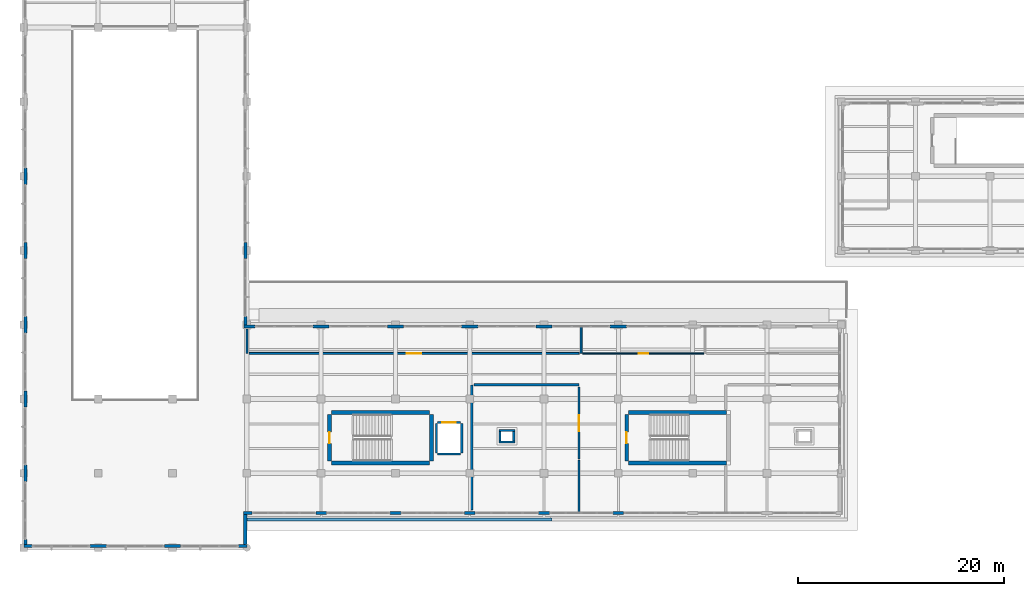
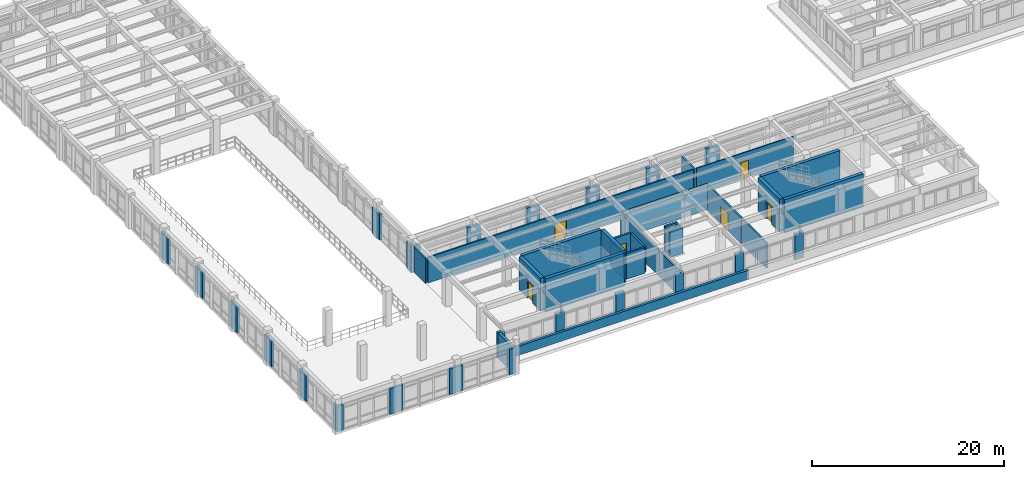
# One storey, part 46 of 64: 49 walls, 6 doors, 6 openings.
"""IFC4 building model written with IfcOpenShell, lengths in metres."""

from ifc_helpers import new_model, si_unit, direction, frame, frame_2d, origin, place, context, subcontext, project, spatial, rectangle, extrude, material, layer, layer_set, type_object, element, fill, save


model = new_model("IFC4")

# Units and contexts
model_context = context("Model", 3, precision=1e-05, world=origin(), true_north=direction((0.0, 1.0)))
body_context = subcontext(model_context, "Body", "Model", "MODEL_VIEW")
ifc_project = project(units=[si_unit("LENGTHUNIT", "METRE"), si_unit("AREAUNIT", "SQUARE_METRE"), si_unit("VOLUMEUNIT", "CUBIC_METRE"), si_unit("PLANEANGLEUNIT", "RADIAN"), si_unit("MASSUNIT", "GRAM", prefix="KILO")], contexts=[model_context])

# Site, building, storey
site_placement = place(None, origin())
site = spatial("IfcSite", under=ifc_project, at=site_placement, CompositionType="ELEMENT")
building_placement = place(site_placement, origin())
building = spatial("IfcBuilding", under=site, at=building_placement, Name="Solenvale Faculty of Natural Sciences", CompositionType="ELEMENT")
storey_placement = place(building_placement, frame((0.0, 0.0, 18.0)))
storey = spatial("IfcBuildingStorey", under=building, at=storey_placement, Name="L04", CompositionType="ELEMENT", Elevation=18.0)

# Walls
ifc_material_1 = material(Name="Architectural bronze concrete 40 MPa", Category="concrete")
ifc_layer_1 = layer(ifc_material_1, 0.300048828125)
ifc_layer_set_1 = layer_set([ifc_layer_1], Name="Architectural bronze concrete 40 MPa")
wall_type_1 = type_object("IfcWallType", Name="WL-EXT-BRZ-300", PredefinedType="STANDARD", material=ifc_layer_set_1)
wall_1_placement = place(storey_placement, frame((87.152099609375, 17.134033203125, 0.0), z_axis=(0.0, 0.0, 1.0), x_axis=(-0.999999990118, -0.00014058533, 0.0)))
element("IfcWall", 1, at=wall_1_placement, inside=storey, type_object=wall_type_1, Name="L04 Sliding-Tray Rough Bronze Concrete Band 3", PredefinedType="PARAPET", context=body_context, shape_type="SweptSolid", body=[
    extrude(rectangle(XDim=29.522216796875, YDim=0.300048828125, at=frame_2d((14.76123046875, 0.0))), origin(), (0.0, 0.0, 1.0), 1.179931640625),
])
ifc_layer_2 = layer(ifc_material_1, 0.324951171875)
ifc_layer_set_2 = layer_set([ifc_layer_2], Name="Architectural bronze concrete 40 MPa")
wall_type_2 = type_object("IfcWallType", Name="WL-EXT-BRZ-325", PredefinedType="STANDARD", material=ifc_layer_set_2)
wall_2_placement = place(storey_placement, frame((57.294921875, 17.762451171875, 0.0), z_axis=(0.0, 0.0, 1.0), x_axis=(1.0, 0.0, 0.0)))
element("IfcWall", 2, at=wall_2_placement, inside=storey, type_object=wall_type_2, Name="L04 Facade Closure Pier 6.B1-L", PredefinedType="STANDARD", context=body_context, shape_type="SweptSolid", body=[
    extrude(rectangle(XDim=0.822998046875, YDim=0.324951171875, at=frame_2d((0.41162109375, 0.0))), origin(), (0.0, 0.0, 1.0), 3.260009765625),
])
for number, where, z_axis, x_axis, name in (
    (3, (64.281982421875, 17.762451171875, 0.0), (0.0, 0.0, 1.0), (1.0, 0.0, 0.0), "L04 Facade Closure Pier 6.B1-R"),
    (4, (71.48193359375, 17.762451171875, 0.0), (0.0, 0.0, 1.0), (1.0, 0.0, 0.0), "L04 Facade Closure Pier 6.B2-R"),
    (5, (78.681884765625, 17.762451171875, 0.0), (0.0, 0.0, 1.0), (1.0, 0.0, 0.0), "L04 Facade Closure Pier 6.B3-R"),
):
    element("IfcWall", number, at=place(storey_placement, frame(where, z_axis=z_axis, x_axis=x_axis)), inside=storey, type_object=wall_type_2, Name=name, PredefinedType="STANDARD", context=body_context, shape_type="SweptSolid", body=[
        extrude(rectangle(XDim=1.0361328125, YDim=0.324951171875, at=frame_2d((0.51806640625, 0.0))), origin(), (0.0, 0.0, 1.0), 3.260009765625),
    ])
for number, where, z_axis, x_axis, name in (
    (6, (85.882080078125, 17.762451171875, 0.0), (0.0, 0.0, 1.0), (1.0, 0.0, 0.0), "L04 Facade Closure Pier 6.B4-R"),
    (7, (93.08203125, 17.762451171875, 0.0), (0.0, 0.0, 1.0), (1.0, 0.0, 0.0), "L04 Facade Closure Pier 6.B5-R"),
):
    element("IfcWall", number, at=place(storey_placement, frame(where, z_axis=z_axis, x_axis=x_axis)), inside=storey, type_object=wall_type_2, Name=name, PredefinedType="STANDARD", context=body_context, shape_type="SweptSolid", body=[
        extrude(rectangle(XDim=1.035888671875, YDim=0.324951171875, at=frame_2d((0.51806640625, 0.0))), origin(), (0.0, 0.0, 1.0), 3.260009765625),
    ])
for number, where, z_axis, x_axis, name in (
    (8, (94.387939453125, 35.83740234375, 0.0), (0.0, 0.0, 1.0), (-1.0, 0.0, 0.0), "L04 Facade Closure Pier 8.B3-R"),
    (9, (87.18798828125, 35.83740234375, 0.0), (0.0, 0.0, 1.0), (-1.0, 0.0, 0.0), "L04 Facade Closure Pier 8.B4-R"),
    (10, (79.988037109375, 35.83740234375, 0.0), (0.0, 0.0, 1.0), (-1.0, 0.0, 0.0), "L04 Facade Closure Pier 8.B5-R"),
):
    element("IfcWall", number, at=place(storey_placement, frame(where, z_axis=z_axis, x_axis=x_axis)), inside=storey, type_object=wall_type_2, Name=name, PredefinedType="STANDARD", context=body_context, shape_type="SweptSolid", body=[
        extrude(rectangle(XDim=1.575927734375, YDim=0.324951171875, at=frame_2d((0.7880859375, 0.0))), origin(), (0.0, 0.0, 1.0), 3.260009765625),
    ])
wall_3_placement = place(storey_placement, frame((72.7880859375, 35.83740234375, 0.0), z_axis=(0.0, 0.0, 1.0), x_axis=(-1.0, 0.0, 0.0)))
element("IfcWall", 11, at=wall_3_placement, inside=storey, type_object=wall_type_2, Name="L04 Facade Closure Pier 8.B6-R", PredefinedType="STANDARD", context=body_context, shape_type="SweptSolid", body=[
    extrude(rectangle(XDim=1.576171875, YDim=0.324951171875, at=frame_2d((0.7880859375, 0.0))), origin(), (0.0, 0.0, 1.0), 3.260009765625),
])
wall_4_placement = place(storey_placement, frame((65.587890625, 35.83740234375, 0.0), z_axis=(0.0, 0.0, 1.0), x_axis=(-1.0, 0.0, 0.0)))
element("IfcWall", 12, at=wall_4_placement, inside=storey, type_object=wall_type_2, Name="L04 Facade Closure Pier 8.B7-R", PredefinedType="STANDARD", context=body_context, shape_type="SweptSolid", body=[
    extrude(rectangle(XDim=1.575927734375, YDim=0.324951171875, at=frame_2d((0.7880859375, 0.0))), origin(), (0.0, 0.0, 1.0), 3.260009765625),
])
wall_5_placement = place(storey_placement, frame((58.387939453125, 35.83740234375, 0.0), z_axis=(0.0, 0.0, 1.0), x_axis=(-1.0, 0.0, 0.0)))
element("IfcWall", 13, at=wall_5_placement, inside=storey, type_object=wall_type_2, Name="L04 Facade Closure Pier 8.B8-R", PredefinedType="STANDARD", context=body_context, shape_type="SweptSolid", body=[
    extrude(rectangle(XDim=1.072998046875, YDim=0.324951171875, at=frame_2d((0.53662109375, 0.0))), origin(), (0.0, 0.0, 1.0), 3.260009765625),
])
ifc_material_2 = material(Name="Precast concrete 40 MPa", Category="concrete")
ifc_layer_3 = layer(ifc_material_2, 0.284912109375)
ifc_layer_set_3 = layer_set([ifc_layer_3], Name="Precast concrete 40 MPa")
wall_type_3 = type_object("IfcWallType", Name="WL-EXT-PRC-285", PredefinedType="STANDARD", material=ifc_layer_set_3)
wall_6_placement = place(storey_placement, frame((57.45751953125, 36.0, 0.0), z_axis=(0.0, 0.0, 1.0), x_axis=(0.0, 1.0, 0.0)))
element("IfcWall", 14, at=wall_6_placement, inside=storey, type_object=wall_type_3, Name="L04 Facade Closure Pier 1.B1-L", PredefinedType="STANDARD", context=body_context, shape_type="SweptSolid", body=[
    extrude(rectangle(XDim=0.7880859375, YDim=0.284912109375, at=frame_2d((0.39404296875, 0.0))), origin(), (0.0, 0.0, 1.0), 3.260009765625),
])
for number, where, z_axis, x_axis, name in (
    (15, (57.45751953125, 42.412109375, 0.0), (0.0, 0.0, 1.0), (0.0, 1.0, 0.0), "L04 Facade Closure Pier 1.B1-R"),
    (16, (36.142578125, 51.18798828125, 0.0), (0.0, 0.0, 1.0), (0.0, -1.0, 0.0), "L04 Facade Closure Pier 3.B6-R"),
    (17, (36.142578125, 43.988037109375, 0.0), (0.0, 0.0, 1.0), (0.0, -1.0, 0.0), "L04 Facade Closure Pier 3.B7-R"),
):
    element("IfcWall", number, at=place(storey_placement, frame(where, z_axis=z_axis, x_axis=x_axis)), inside=storey, type_object=wall_type_3, Name=name, PredefinedType="STANDARD", context=body_context, shape_type="SweptSolid", body=[
        extrude(rectangle(XDim=1.575927734375, YDim=0.284912109375, at=frame_2d((0.7880859375, 0.0))), origin(), (0.0, 0.0, 1.0), 3.260009765625),
    ])
wall_7_placement = place(storey_placement, frame((36.142578125, 36.7880859375, 0.0), z_axis=(0.0, 0.0, 1.0), x_axis=(0.0, -1.0, 0.0)))
element("IfcWall", 18, at=wall_7_placement, inside=storey, type_object=wall_type_3, Name="L04 Facade Closure Pier 3.B8-R", PredefinedType="STANDARD", context=body_context, shape_type="SweptSolid", body=[
    extrude(rectangle(XDim=1.576171875, YDim=0.284912109375, at=frame_2d((0.7880859375, 0.0))), origin(), (0.0, 0.0, 1.0), 3.260009765625),
])
for number, where, z_axis, x_axis, name in (
    (19, (36.142578125, 29.587890625, 0.0), (0.0, 0.0, 1.0), (0.0, -1.0, 0.0), "L04 Facade Closure Pier 3.B9-R"),
    (20, (36.142578125, 22.387939453125, 0.0), (0.0, 0.0, 1.0), (0.0, -1.0, 0.0), "L04 Facade Closure Pier 3.B10-R"),
):
    element("IfcWall", number, at=place(storey_placement, frame(where, z_axis=z_axis, x_axis=x_axis)), inside=storey, type_object=wall_type_3, Name=name, PredefinedType="STANDARD", context=body_context, shape_type="SweptSolid", body=[
        extrude(rectangle(XDim=1.575927734375, YDim=0.284912109375, at=frame_2d((0.7880859375, 0.0))), origin(), (0.0, 0.0, 1.0), 3.260009765625),
    ])
wall_8_placement = place(storey_placement, frame((36.142578125, 15.18798828125, 0.0), z_axis=(0.0, 0.0, 1.0), x_axis=(0.0, -1.0, 0.0)))
element("IfcWall", 21, at=wall_8_placement, inside=storey, type_object=wall_type_3, Name="L04 Facade Closure Pier 3.B11-R", PredefinedType="STANDARD", context=body_context, shape_type="SweptSolid", body=[
    extrude(rectangle(XDim=0.5029296875, YDim=0.284912109375, at=frame_2d((0.25146484375, 0.0))), origin(), (0.0, 0.0, 1.0), 3.260009765625),
])
wall_9_placement = place(storey_placement, frame((36.0, 14.54248046875, 0.0), z_axis=(0.0, 0.0, 1.0), x_axis=(1.0, 0.0, 0.0)))
element("IfcWall", 22, at=wall_9_placement, inside=storey, type_object=wall_type_3, Name="L04 Facade Closure Pier 4.B1-L", PredefinedType="STANDARD", context=body_context, shape_type="SweptSolid", body=[
    extrude(rectangle(XDim=0.7880859375, YDim=0.284912109375, at=frame_2d((0.39404296875, 0.0))), origin(), (0.0, 0.0, 1.0), 3.260009765625),
])
for number, where, z_axis, x_axis, name in (
    (23, (42.412109375, 14.54248046875, 0.0), (0.0, 0.0, 1.0), (1.0, 0.0, 0.0), "L04 Facade Closure Pier 4.B1-R"),
    (24, (49.612060546875, 14.54248046875, 0.0), (0.0, 0.0, 1.0), (1.0, 0.0, 0.0), "L04 Facade Closure Pier 4.B2-R"),
):
    element("IfcWall", number, at=place(storey_placement, frame(where, z_axis=z_axis, x_axis=x_axis)), inside=storey, type_object=wall_type_3, Name=name, PredefinedType="STANDARD", context=body_context, shape_type="SweptSolid", body=[
        extrude(rectangle(XDim=1.575927734375, YDim=0.284912109375, at=frame_2d((0.7880859375, 0.0))), origin(), (0.0, 0.0, 1.0), 3.260009765625),
    ])
wall_10_placement = place(storey_placement, frame((56.81201171875, 14.54248046875, 0.0), z_axis=(0.0, 0.0, 1.0), x_axis=(1.0, 0.0, 0.0)))
element("IfcWall", 25, at=wall_10_placement, inside=storey, type_object=wall_type_3, Name="L04 Facade Closure Pier 4.B3-R", PredefinedType="STANDARD", context=body_context, shape_type="SweptSolid", body=[
    extrude(rectangle(XDim=0.7880859375, YDim=0.284912109375, at=frame_2d((0.39404296875, 0.0))), origin(), (0.0, 0.0, 1.0), 3.260009765625),
])
ifc_layer_4 = layer(ifc_material_2, 0.304931640625)
ifc_layer_set_4 = layer_set([ifc_layer_4], Name="Precast concrete 40 MPa")
wall_type_4 = type_object("IfcWallType", Name="WL-EXT-PRC-305", PredefinedType="STANDARD", material=ifc_layer_set_4)
wall_11_placement = place(storey_placement, frame((57.447509765625, 17.60009765625, 0.0), z_axis=(0.0, 0.0, 1.0), x_axis=(0.0, -1.0, 0.0)))
element("IfcWall", 26, at=wall_11_placement, inside=storey, type_object=wall_type_4, Name="L04 Exterior Wall 5.1", PredefinedType="STANDARD", context=body_context, shape_type="SweptSolid", body=[
    extrude(rectangle(XDim=2.9150390625, YDim=0.304931640625, at=frame_2d((1.45751953125, 0.0))), origin(), (0.0, 0.0, 1.0), 3.260009765625),
])
ifc_material_3 = material(Name="Gypsum fire-rated laboratory partition")
ifc_layer_5 = layer(ifc_material_3, 0.18505859375)
ifc_layer_set_5 = layer_set([ifc_layer_5], Name="Gypsum fire-rated laboratory partition")
wall_type_5 = type_object("IfcWallType", Name="WL-LAB-185", PredefinedType="PARTITIONING", material=ifc_layer_set_5)
wall_12_placement = place(storey_placement, frame((57.6201171875, 33.219970703125, 0.0), z_axis=(0.0, 0.0, 1.0), x_axis=(0.0, 1.0, 0.0)))
element("IfcWall", 27, at=wall_12_placement, inside=storey, type_object=wall_type_5, Name="L04 Terrace Ecology Laboratory Partition 1", PredefinedType="PARTITIONING", context=body_context, shape_type="SweptSolid", body=[
    extrude(rectangle(XDim=2.35009765625, YDim=0.18505859375, at=frame_2d((1.175048828125, 0.0))), origin(), (0.0, 0.0, 1.0), 3.260009765625),
])
wall_13_placement = place(storey_placement, frame((90.0, 35.797119140625, 0.0), z_axis=(0.0, 0.0, 1.0), x_axis=(0.0, -1.0, 0.0)))
element("IfcWall", 28, at=wall_13_placement, inside=storey, type_object=wall_type_5, Name="L04 Terrace Ecology Laboratory Partition 3", PredefinedType="PARTITIONING", context=body_context, shape_type="SweptSolid", body=[
    extrude(rectangle(XDim=2.5771484375, YDim=0.18505859375, at=frame_2d((1.28857421875, 0.0))), origin(), (0.0, 0.0, 1.0), 3.260009765625),
])

# Wall, opening, door
wall_14_placement = place(storey_placement, frame((89.802978515625, 33.219970703125, 0.0), z_axis=(0.0, 0.0, 1.0), x_axis=(-1.0, 0.0, 0.0)))
wall_14 = element("IfcWall", 29, at=wall_14_placement, inside=storey, type_object=wall_type_5, Name="L04 Terrace Ecology Laboratory Partition 4", PredefinedType="PARTITIONING", context=body_context, shape_type="SweptSolid", body=[
    extrude(rectangle(XDim=31.986083984375, YDim=0.18505859375, at=frame_2d((15.9931640625, 0.0))), origin(), (0.0, 0.0, 1.0), 3.260009765625),
])
opening_1_placement = place(wall_14_placement, frame((15.302978515625, 0.0, 0.0)))
opening_1 = element("IfcOpeningElement", 30, at=opening_1_placement, cuts=wall_14, Name="Opening D-L04-05", PredefinedType="OPENING", context=body_context, shape_type="SweptSolid", body=[
    extrude(rectangle(XDim=1.3798828125, YDim=2.14990234375, at=frame_2d((0.68994140625, 1.074951171875))), frame((0.0, 0.1025390625, 0.0), z_axis=(0.0, -1.0, 0.0), x_axis=(1.0, 0.0, 0.0)), (0.0, 0.0, 1.0), 0.205078125),
])
ifc_material_4 = material(Name="Oak acoustic timber leaf", Category="wood")
door_type_1 = type_object("IfcDoorType", Name="DR-LAB-1380x2150", OperationType="NOTDEFINED", PredefinedType="DOOR", material=ifc_material_4)
door_1_placement = place(opening_1_placement, origin())
door_1 = element("IfcDoor", 31, at=door_1_placement, inside=storey, type_object=door_type_1, Name="L04 Terrace Ecology Laboratory Door", OperationType="SINGLE_SWING_LEFT", OverallHeight=2.14990234375, OverallWidth=1.3798828125, PredefinedType="DOOR", context=body_context, shape_type="SweptSolid", body=[
    extrude(rectangle(XDim=1.3798828125, YDim=2.14990234375, at=frame_2d((0.68994140625, 1.074951171875))), frame((0.0, 0.02490234375, 0.0), z_axis=(0.0, -1.0, 0.0), x_axis=(1.0, 0.0, 0.0)), (0.0, 0.0, 1.0), 0.050048828125),
])
fill(opening_1, door_1)

# Walls
ifc_layer_6 = layer(ifc_material_3, 0.2119140625)
ifc_layer_set_6 = layer_set([ifc_layer_6], Name="Gypsum fire-rated laboratory partition")
wall_type_6 = type_object("IfcWallType", Name="WL-LAB-212", PredefinedType="PARTITIONING", material=ifc_layer_set_6)
wall_15_placement = place(storey_placement, frame((79.39990234375, 18.04296875, 0.0), z_axis=(0.0, 0.0, 1.0), x_axis=(0.0, 1.0, 0.0)))
element("IfcWall", 32, at=wall_15_placement, inside=storey, type_object=wall_type_6, Name="L04 Biochemistry Teaching Laboratory Partition 1", PredefinedType="PARTITIONING", context=body_context, shape_type="SweptSolid", body=[
    extrude(rectangle(XDim=12.136962890625, YDim=0.2119140625, at=frame_2d((6.068359375, 0.0))), origin(), (0.0, 0.0, 1.0), 3.260009765625),
])
wall_16_placement = place(storey_placement, frame((79.6240234375, 30.179931640625, 0.0), z_axis=(0.0, 0.0, 1.0), x_axis=(1.0, 0.0, 0.0)))
element("IfcWall", 33, at=wall_16_placement, inside=storey, type_object=wall_type_6, Name="L04 Biochemistry Teaching Laboratory Partition 2", PredefinedType="PARTITIONING", context=body_context, shape_type="SweptSolid", body=[
    extrude(rectangle(XDim=10.156005859375, YDim=0.2119140625, at=frame_2d((5.078125, 0.0))), origin(), (0.0, 0.0, 1.0), 3.260009765625),
])

# Wall, opening, door
wall_17_placement = place(storey_placement, frame((89.780029296875, 29.9560546875, 0.0), z_axis=(0.0, 0.0, 1.0), x_axis=(0.0, -1.0, 0.0)))
wall_17 = element("IfcWall", 34, at=wall_17_placement, inside=storey, type_object=wall_type_6, Name="L04 Biochemistry Teaching Laboratory Partition 3", PredefinedType="PARTITIONING", context=body_context, shape_type="SweptSolid", body=[
    extrude(rectangle(XDim=6.9560546875, YDim=0.2119140625, at=frame_2d((3.47802734375, 0.0))), origin(), (0.0, 0.0, 1.0), 3.260009765625),
])
opening_2_placement = place(wall_17_placement, frame((2.702880859375, 0.0, 0.0)))
opening_2 = element("IfcOpeningElement", 35, at=opening_2_placement, cuts=wall_17, Name="Opening D-L04-03", PredefinedType="OPENING", context=body_context, shape_type="SweptSolid", body=[
    extrude(rectangle(XDim=1.550048828125, YDim=2.199951171875, at=frame_2d((0.77490234375, 1.10009765625))), frame((0.0, 0.115966796875, 0.0), z_axis=(0.0, -1.0, 0.0), x_axis=(1.0, 0.0, 0.0)), (0.0, 0.0, 1.0), 0.23193359375),
])
door_type_2 = type_object("IfcDoorType", Name="DR-LAB-1550x2200", OperationType="NOTDEFINED", PredefinedType="DOOR", material=ifc_material_4)
door_2_placement = place(opening_2_placement, origin())
door_2 = element("IfcDoor", 36, at=door_2_placement, inside=storey, type_object=door_type_2, Name="L04 Biochemistry Teaching Laboratory Door", OperationType="SINGLE_SWING_LEFT", OverallHeight=2.199951171875, OverallWidth=1.550048828125, PredefinedType="DOOR", context=body_context, shape_type="SweptSolid", body=[
    extrude(rectangle(XDim=1.550048828125, YDim=2.199951171875, at=frame_2d((0.77490234375, 1.10009765625))), frame((0.0, 0.02490234375, 0.0), z_axis=(0.0, -1.0, 0.0), x_axis=(1.0, 0.0, 0.0)), (0.0, 0.0, 1.0), 0.050048828125),
])
fill(opening_2, door_2)

# Wall
wall_18_placement = place(storey_placement, frame((89.800048828125, 22.882080078125, 0.0), z_axis=(0.0, 0.0, 1.0), x_axis=(0.0, -1.0, 0.0)))
element("IfcWall", 37, at=wall_18_placement, inside=storey, type_object=wall_type_6, Name="L04 Biochemistry Teaching Laboratory Partition 20", PredefinedType="PARTITIONING", context=body_context, shape_type="SweptSolid", body=[
    extrude(rectangle(XDim=5.080078125, YDim=0.2119140625, at=frame_2d((2.5400390625, 0.0))), origin(), (0.0, 0.0, 1.0), 3.260009765625),
])

# Wall, opening, door
ifc_material_5 = material(Name="Acoustic stud gypsum partition")
ifc_layer_7 = layer(ifc_material_5, 0.125)
ifc_layer_set_7 = layer_set([ifc_layer_7], Name="Acoustic stud gypsum partition")
wall_type_7 = type_object("IfcWallType", Name="WL-OFF-125", PredefinedType="PARTITIONING", material=ifc_layer_set_7)
wall_19_placement = place(storey_placement, frame((101.863037109375, 33.219970703125, 0.0), z_axis=(0.0, 0.0, 1.0), x_axis=(-1.0, 0.0, 0.0)))
wall_19 = element("IfcWall", 38, at=wall_19_placement, inside=storey, type_object=wall_type_7, Name="L04 Graduate Research Office Partition 4", PredefinedType="PARTITIONING", context=body_context, shape_type="SweptSolid", body=[
    extrude(rectangle(XDim=11.696044921875, YDim=0.125, at=frame_2d((5.84814453125, 0.0))), origin(), (0.0, 0.0, 1.0), 3.260009765625),
])
opening_3_placement = place(wall_19_placement, frame((5.387939453125, 0.0, 0.0)))
opening_3 = element("IfcOpeningElement", 39, at=opening_3_placement, cuts=wall_19, Name="Opening D-L04-06", PredefinedType="OPENING", context=body_context, shape_type="SweptSolid", body=[
    extrude(rectangle(XDim=0.919921875, YDim=2.10009765625, at=frame_2d((0.4599609375, 1.050048828125))), frame((0.0, 0.072509765625, 0.0), z_axis=(0.0, -1.0, 0.0), x_axis=(1.0, 0.0, 0.0)), (0.0, 0.0, 1.0), 0.14501953125),
])
door_type_3 = type_object("IfcDoorType", Name="DR-OFF-0920x2100", OperationType="NOTDEFINED", PredefinedType="DOOR", material=ifc_material_4)
door_3_placement = place(opening_3_placement, origin())
door_3 = element("IfcDoor", 40, at=door_3_placement, inside=storey, type_object=door_type_3, Name="L04 Graduate Research Office Door", OperationType="SINGLE_SWING_RIGHT", OverallHeight=2.10009765625, OverallWidth=0.919921875, PredefinedType="DOOR", context=body_context, shape_type="SweptSolid", body=[
    extrude(rectangle(XDim=0.919921875, YDim=2.10009765625, at=frame_2d((0.4599609375, 1.050048828125))), frame((0.0, 0.02490234375, 0.0), z_axis=(0.0, -1.0, 0.0), x_axis=(1.0, 0.0, 0.0)), (0.0, 0.0, 1.0), 0.050048828125),
])
fill(opening_3, door_3)

# Wall
ifc_material_6 = material(Name="Concrete 40 MPa", Category="concrete")
ifc_layer_8 = layer(ifc_material_6, 0.219970703125)
ifc_layer_set_8 = layer_set([ifc_layer_8], Name="Concrete 40 MPa")
wall_type_8 = type_object("IfcWallType", Name="WL-SHF-220", PredefinedType="STANDARD", material=ifc_layer_set_8)
wall_20_placement = place(storey_placement, frame((76.080078125, 23.469970703125, 0.0), z_axis=(0.0, 0.0, 1.0), x_axis=(1.0, 0.0, 0.0)))
element("IfcWall", 41, at=wall_20_placement, inside=storey, type_object=wall_type_8, Name="Elevator LG-01 L04 Shaft Wall S", PredefinedType="STANDARD", context=body_context, shape_type="SweptSolid", body=[
    extrude(rectangle(XDim=2.239990234375, YDim=0.219970703125, at=frame_2d((1.1201171875, 0.0))), origin(), (0.0, 0.0, 1.0), 3.260009765625),
])

# Wall, opening, door
wall_21_placement = place(storey_placement, frame((76.080078125, 26.530029296875, 0.0), z_axis=(0.0, 0.0, 1.0), x_axis=(1.0, 0.0, 0.0)))
wall_21 = element("IfcWall", 42, at=wall_21_placement, inside=storey, type_object=wall_type_8, Name="Elevator LG-01 L04 Shaft Wall N", PredefinedType="STANDARD", context=body_context, shape_type="SweptSolid", body=[
    extrude(rectangle(XDim=2.239990234375, YDim=0.219970703125, at=frame_2d((1.1201171875, 0.0))), origin(), (0.0, 0.0, 1.0), 3.260009765625),
])
opening_4_placement = place(wall_21_placement, frame((0.469970703125, 0.0, 0.0)))
opening_4 = element("IfcOpeningElement", 43, at=opening_4_placement, cuts=wall_21, Name="Opening LD-LG-01-L04", PredefinedType="OPENING", context=body_context, shape_type="SweptSolid", body=[
    extrude(rectangle(XDim=1.300048828125, YDim=2.199951171875, at=frame_2d((0.64990234375, 1.10009765625))), frame((0.0, 0.119873046875, 0.0), z_axis=(0.0, -1.0, 0.0), x_axis=(1.0, 0.0, 0.0)), (0.0, 0.0, 1.0), 0.239990234375),
])
ifc_material_7 = material(Name="Stainless steel Grade 304", Category="steel")
door_type_4 = type_object("IfcDoorType", Name="DR-LIFT-1300x2200", OperationType="NOTDEFINED", PredefinedType="DOOR", material=ifc_material_7)
door_4_placement = place(opening_4_placement, origin())
door_4 = element("IfcDoor", 44, at=door_4_placement, inside=storey, type_object=door_type_4, Name="Elevator LG-01 L04 Sliding Landing Door", OperationType="SLIDING_TO_RIGHT", OverallHeight=2.199951171875, OverallWidth=1.300048828125, PredefinedType="DOOR", context=body_context, shape_type="SweptSolid", body=[
    extrude(rectangle(XDim=1.300048828125, YDim=2.199951171875, at=frame_2d((0.64990234375, 1.10009765625))), frame((0.0, 0.02490234375, 0.0), z_axis=(0.0, -1.0, 0.0), x_axis=(1.0, 0.0, 0.0)), (0.0, 0.0, 1.0), 0.050048828125),
])
fill(opening_4, door_4)

# Walls
for number, where, z_axis, x_axis, name in (
    (45, (75.969970703125, 23.580078125, 0.0), (0.0, 0.0, 1.0), (0.0, 1.0, 0.0), "Elevator LG-01 L04 Shaft Wall W"),
    (46, (78.429931640625, 23.580078125, 0.0), (0.0, 0.0, 1.0), (0.0, 1.0, 0.0), "Elevator LG-01 L04 Shaft Wall E"),
):
    element("IfcWall", number, at=place(storey_placement, frame(where, z_axis=z_axis, x_axis=x_axis)), inside=storey, type_object=wall_type_8, Name=name, PredefinedType="STANDARD", context=body_context, shape_type="SweptSolid", body=[
        extrude(rectangle(XDim=2.83984375, YDim=0.219970703125, at=frame_2d((1.419921875, 0.0))), origin(), (0.0, 0.0, 1.0), 3.260009765625),
    ])
for number, where, z_axis, x_axis, name in (
    (47, (82.030029296875, 24.639892578125, 0.0), (0.0, 0.0, 1.0), (1.0, 0.0, 0.0), "L04 Service Riser Shaft 2 Wall S"),
    (48, (82.030029296875, 25.760009765625, 0.0), (0.0, 0.0, 1.0), (1.0, 0.0, 0.0), "L04 Service Riser Shaft 2 Wall N"),
):
    element("IfcWall", number, at=place(storey_placement, frame(where, z_axis=z_axis, x_axis=x_axis)), inside=storey, type_object=wall_type_8, Name=name, PredefinedType="STANDARD", context=body_context, shape_type="SweptSolid", body=[
        extrude(rectangle(XDim=1.5400390625, YDim=0.219970703125, at=frame_2d((0.77001953125, 0.0))), origin(), (0.0, 0.0, 1.0), 3.260009765625),
    ])
for number, where, z_axis, x_axis, name in (
    (49, (82.139892578125, 24.75, 0.0), (0.0, 0.0, 1.0), (0.0, 1.0, 0.0), "L04 Service Riser Shaft 2 Wall W"),
    (50, (83.4599609375, 24.75, 0.0), (0.0, 0.0, 1.0), (0.0, 1.0, 0.0), "L04 Service Riser Shaft 2 Wall E"),
):
    element("IfcWall", number, at=place(storey_placement, frame(where, z_axis=z_axis, x_axis=x_axis)), inside=storey, type_object=wall_type_8, Name=name, PredefinedType="STANDARD", context=body_context, shape_type="SweptSolid", body=[
        extrude(rectangle(XDim=0.89990234375, YDim=0.219970703125, at=frame_2d((0.449951171875, 0.0))), origin(), (0.0, 0.0, 1.0), 3.260009765625),
    ])
ifc_material_8 = material(Name="Concrete 50 MPa", Category="concrete")
ifc_layer_9 = layer(ifc_material_8, 0.3798828125)
ifc_layer_set_9 = layer_set([ifc_layer_9], Name="Concrete 50 MPa")
wall_type_9 = type_object("IfcWallType", Name="WL-SHR-380", PredefinedType="SHEAR", material=ifc_layer_set_9)
for number, where, z_axis, x_axis, name in (
    (51, (65.800048828125, 22.610107421875, 0.0), (0.0, 0.0, 1.0), (1.0, 0.0, 0.0), "Core C3 L04 Shear Wall S"),
    (52, (65.800048828125, 27.489990234375, 0.0), (0.0, 0.0, 1.0), (1.0, 0.0, 0.0), "Core C3 L04 Shear Wall N"),
):
    element("IfcWall", number, at=place(storey_placement, frame(where, z_axis=z_axis, x_axis=x_axis)), inside=storey, type_object=wall_type_9, Name=name, PredefinedType="SHEAR", context=body_context, shape_type="SweptSolid", body=[
        extrude(rectangle(XDim=9.5, YDim=0.3798828125, at=frame_2d((4.75, 0.0))), origin(), (0.0, 0.0, 1.0), 4.219970703125),
    ])

# Wall, opening, door
wall_22_placement = place(storey_placement, frame((65.610107421875, 22.800048828125, 0.0), z_axis=(0.0, 0.0, 1.0), x_axis=(0.0, 1.0, 0.0)))
wall_22 = element("IfcWall", 53, at=wall_22_placement, inside=storey, type_object=wall_type_9, Name="Core C3 L04 Shear Wall W", PredefinedType="SHEAR", context=body_context, shape_type="SweptSolid", body=[
    extrude(rectangle(XDim=4.5, YDim=0.3798828125, at=frame_2d((2.25, 0.0))), origin(), (0.0, 0.0, 1.0), 4.219970703125),
])
opening_5_placement = place(wall_22_placement, frame((1.699951171875, 0.0, 0.0)))
opening_5 = element("IfcOpeningElement", 54, at=opening_5_placement, cuts=wall_22, Name="Opening DS-C3-L04", PredefinedType="OPENING", context=body_context, shape_type="SweptSolid", body=[
    extrude(rectangle(XDim=1.10009765625, YDim=2.14990234375, at=frame_2d((0.550048828125, 1.074951171875))), frame((0.0, 0.199951171875, 0.0), z_axis=(0.0, -1.0, 0.0), x_axis=(1.0, 0.0, 0.0)), (0.0, 0.0, 1.0), 0.39990234375),
])
ifc_material_9 = material(Name="Galvanised steel S355", Category="steel")
door_type_5 = type_object("IfcDoorType", Name="DR-STAIR-1100x2150", OperationType="NOTDEFINED", PredefinedType="DOOR", material=ifc_material_9)
door_5_placement = place(opening_5_placement, origin())
door_5 = element("IfcDoor", 55, at=door_5_placement, inside=storey, type_object=door_type_5, Name="L04 Stair ST-03 Fire Door", OperationType="SINGLE_SWING_RIGHT", OverallHeight=2.14990234375, OverallWidth=1.10009765625, PredefinedType="DOOR", context=body_context, shape_type="SweptSolid", body=[
    extrude(rectangle(XDim=1.10009765625, YDim=2.14990234375, at=frame_2d((0.550048828125, 1.074951171875))), frame((0.0, 0.02490234375, 0.0), z_axis=(0.0, -1.0, 0.0), x_axis=(1.0, 0.0, 0.0)), (0.0, 0.0, 1.0), 0.050048828125),
])
fill(opening_5, door_5)

# Walls
wall_23_placement = place(storey_placement, frame((75.489990234375, 22.800048828125, 0.0), z_axis=(0.0, 0.0, 1.0), x_axis=(0.0, 1.0, 0.0)))
element("IfcWall", 56, at=wall_23_placement, inside=storey, type_object=wall_type_9, Name="Core C3 L04 Shear Wall E", PredefinedType="SHEAR", context=body_context, shape_type="SweptSolid", body=[
    extrude(rectangle(XDim=4.5, YDim=0.3798828125, at=frame_2d((2.25, 0.0))), origin(), (0.0, 0.0, 1.0), 4.219970703125),
])
for number, where, z_axis, x_axis, name in (
    (57, (94.60009765625, 22.610107421875, 0.0), (0.0, 0.0, 1.0), (1.0, 0.0, 0.0), "Core C3B L04 Shear Wall S"),
    (58, (94.60009765625, 27.489990234375, 0.0), (0.0, 0.0, 1.0), (1.0, 0.0, 0.0), "Core C3B L04 Shear Wall N"),
):
    element("IfcWall", number, at=place(storey_placement, frame(where, z_axis=z_axis, x_axis=x_axis)), inside=storey, type_object=wall_type_9, Name=name, PredefinedType="SHEAR", context=body_context, shape_type="SweptSolid", body=[
        extrude(rectangle(XDim=9.5, YDim=0.3798828125, at=frame_2d((4.75, 0.0))), origin(), (0.0, 0.0, 1.0), 4.219970703125),
    ])

# Wall, opening, door
wall_24_placement = place(storey_placement, frame((94.409912109375, 22.800048828125, 0.0), z_axis=(0.0, 0.0, 1.0), x_axis=(0.0, 1.0, 0.0)))
wall_24 = element("IfcWall", 59, at=wall_24_placement, inside=storey, type_object=wall_type_9, Name="Core C3B L04 Shear Wall W", PredefinedType="SHEAR", context=body_context, shape_type="SweptSolid", body=[
    extrude(rectangle(XDim=4.5, YDim=0.3798828125, at=frame_2d((2.25, 0.0))), origin(), (0.0, 0.0, 1.0), 4.219970703125),
])
opening_6_placement = place(wall_24_placement, frame((1.699951171875, 0.0, 0.0)))
opening_6 = element("IfcOpeningElement", 60, at=opening_6_placement, cuts=wall_24, Name="Opening DS-C3B-L04", PredefinedType="OPENING", context=body_context, shape_type="SweptSolid", body=[
    extrude(rectangle(XDim=1.10009765625, YDim=2.14990234375, at=frame_2d((0.550048828125, 1.074951171875))), frame((0.0, 0.199951171875, 0.0), z_axis=(0.0, -1.0, 0.0), x_axis=(1.0, 0.0, 0.0)), (0.0, 0.0, 1.0), 0.39990234375),
])
door_6_placement = place(opening_6_placement, origin())
door_6 = element("IfcDoor", 61, at=door_6_placement, inside=storey, type_object=door_type_5, Name="L04 Stair ST-07 Fire Door", OperationType="SINGLE_SWING_RIGHT", OverallHeight=2.14990234375, OverallWidth=1.10009765625, PredefinedType="DOOR", context=body_context, shape_type="SweptSolid", body=[
    extrude(rectangle(XDim=1.10009765625, YDim=2.14990234375, at=frame_2d((0.550048828125, 1.074951171875))), frame((0.0, 0.02490234375, 0.0), z_axis=(0.0, -1.0, 0.0), x_axis=(1.0, 0.0, 0.0)), (0.0, 0.0, 1.0), 0.050048828125),
])
fill(opening_6, door_6)

save(model, "model.ifc")
